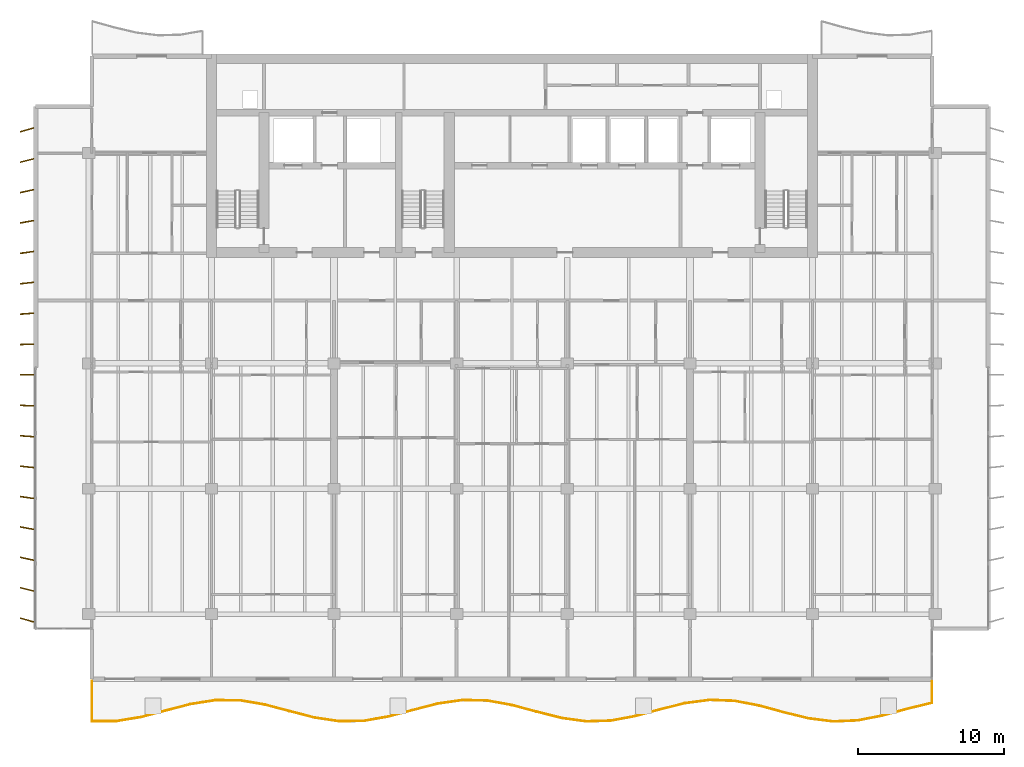
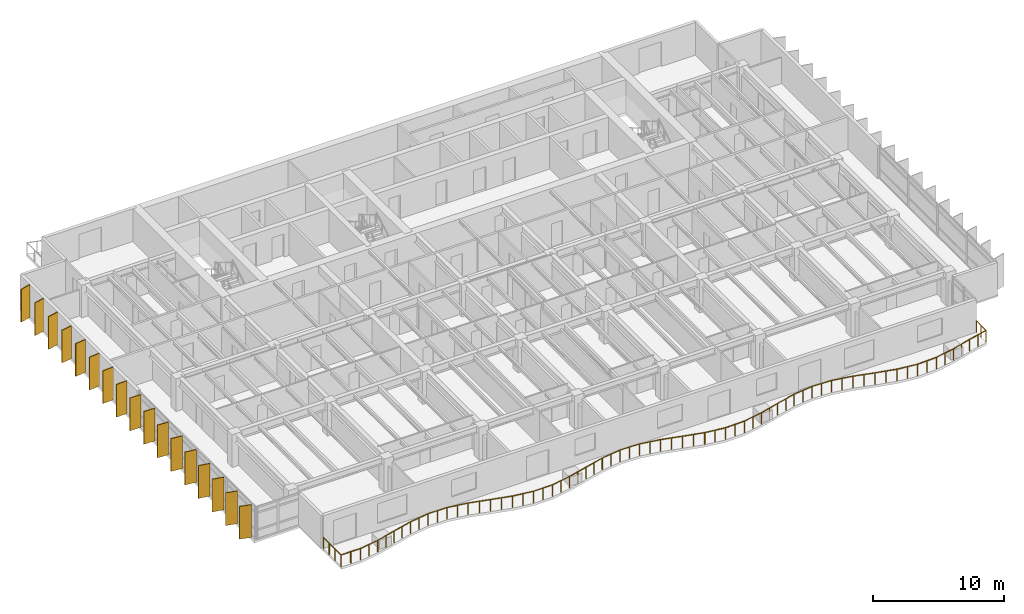
# One storey, part 16 of 19: 17 shading devices, 1 railing.
"""IFC4 building model written with IfcOpenShell, lengths in metres."""

from ifc_helpers import new_model, si_unit, direction, frame, origin, origin_2d, place, context, subcontext, project, spatial, rectangle, circle, extrude, material, material_profile, profile_set, type_object, element, save


model = new_model("IFC4")

# Units and contexts
model_context = context("Model", 3, precision=1e-05, world=origin(), true_north=direction((0.0, 1.0)))
body_context = subcontext(model_context, "Body", "Model", "MODEL_VIEW")
ifc_project = project(units=[si_unit("LENGTHUNIT", "METRE"), si_unit("AREAUNIT", "SQUARE_METRE"), si_unit("VOLUMEUNIT", "CUBIC_METRE"), si_unit("PLANEANGLEUNIT", "RADIAN"), si_unit("MASSUNIT", "GRAM", prefix="KILO")], contexts=[model_context])

# Site, building, storey
site_placement = place(None, origin())
site = spatial("IfcSite", under=ifc_project, at=site_placement, CompositionType="ELEMENT")
building_placement = place(site_placement, origin())
building = spatial("IfcBuilding", under=site, at=building_placement, Name="Caelmar Bay Residences", CompositionType="ELEMENT")
storey_placement = place(building_placement, frame((0.0, 0.0, 163.800048828125)))
storey = spatial("IfcBuildingStorey", under=building, at=storey_placement, Name="L45", CompositionType="ELEMENT", Elevation=163.800048828125)

# Railing
ifc_material_1 = material(Name="Anodised bronze handrail with laminated hurricane glass infill", Category="glass")
railing_type = type_object("IfcRailingType", Name="RL-BAL-1100", PredefinedType="BALUSTRADE", material=ifc_material_1)
railing_placement = place(storey_placement, frame((10.10009765625, 7.60009765625, 0.0)))
element("IfcRailing", 1, at=railing_placement, inside=storey, type_object=railing_type, Name="L45 south Balcony Balustrade", PredefinedType="BALUSTRADE", context=body_context, shape_type="SweptSolid", body=[
    extrude(circle(Radius=0.02392578125, at=origin_2d()), frame((0.0, 0.0, 1.076171875), z_axis=(0.0, -1.0, 0.0), x_axis=(1.0, 0.0, 0.0)), (0.0, 0.0, 1.0), 2.7333984375),
    extrude(circle(Radius=0.02392578125, at=origin_2d()), frame((0.0, -2.7333984375, 1.076171875), z_axis=(0.999999740393, 0.000720564736, 0.0), x_axis=(-0.000720564736, 0.999999740393, 0.0)), (0.0, 0.0, 1.0), 1.694091796875),
    extrude(circle(Radius=0.02392578125, at=origin_2d()), frame((1.694091796875, -2.732177734375, 1.076171875), z_axis=(0.98683994476, 0.161700103357, 0.0), x_axis=(-0.161700103357, 0.98683994476, 0.0)), (0.0, 0.0, 1.0), 1.716796875),
    extrude(circle(Radius=0.02392578125, at=origin_2d()), frame((3.38818359375, -2.45458984375, 1.076171875), z_axis=(0.96700771303, 0.25474709604, 0.0), x_axis=(-0.25474709604, 0.96700771303, 0.0)), (0.0, 0.0, 1.0), 1.751953125),
    extrude(circle(Radius=0.02392578125, at=origin_2d()), frame((5.082275390625, -2.00830078125, 1.076171875), z_axis=(0.967623195546, 0.252399190652, 0.0), x_axis=(-0.252399190652, 0.967623195546, 0.0)), (0.0, 0.0, 1.0), 1.750732421875),
    extrude(circle(Radius=0.02392578125, at=origin_2d()), frame((6.7763671875, -1.56640625, 1.076171875), z_axis=(0.987929781528, 0.154902378196, 0.0), x_axis=(-0.154902378196, 0.987929781528, 0.0)), (0.0, 0.0, 1.0), 1.71484375),
    extrude(circle(Radius=0.02392578125, at=origin_2d()), frame((8.470458984375, -1.30078125, 1.076171875), z_axis=(0.999967436501, -0.008070064338, 0.0), x_axis=(0.008070064338, 0.999967436501, 0.0)), (0.0, 0.0, 1.0), 1.694091796875),
    extrude(circle(Radius=0.02392578125, at=origin_2d()), frame((10.16455078125, -1.314453125, 1.076171875), z_axis=(0.985894085535, -0.167370403914, 0.0), x_axis=(0.167370403914, 0.985894085535, 0.0)), (0.0, 0.0, 1.0), 1.71826171875),
    extrude(circle(Radius=0.02392578125, at=origin_2d()), frame((11.858642578125, -1.60205078125, 1.076171875), z_axis=(0.96652561509, -0.256570137339, 0.0), x_axis=(0.256570137339, 0.96652561509, 0.0)), (0.0, 0.0, 1.0), 1.752685546875),
    extrude(circle(Radius=0.02392578125, at=origin_2d()), frame((13.552734375, -2.0517578125, 1.076171875), z_axis=(0.968242469272, -0.250013041057, 0.0), x_axis=(0.250013041057, 0.968242469272, 0.0)), (0.0, 0.0, 1.0), 1.75),
    extrude(circle(Radius=0.02392578125, at=origin_2d()), frame((15.2470703125, -2.4892578125, 1.076171875), z_axis=(0.988828431207, -0.149058155216, 0.0), x_axis=(0.149058155216, 0.988828431207, 0.0)), (0.0, 0.0, 1.0), 1.713134765625),
    extrude(circle(Radius=0.02392578125, at=origin_2d()), frame((16.941162109375, -2.74462890625, 1.076171875), z_axis=(0.99988334269, 0.015274194311, 0.0), x_axis=(-0.015274194311, 0.99988334269, 0.0)), (0.0, 0.0, 1.0), 1.6943359375),
    extrude(circle(Radius=0.02392578125, at=origin_2d()), frame((18.63525390625, -2.71875, 1.076171875), z_axis=(0.984965924128, 0.172748743286, 0.0), x_axis=(-0.172748743286, 0.984965924128, 0.0)), (0.0, 0.0, 1.0), 1.719970703125),
    extrude(circle(Radius=0.02392578125, at=origin_2d()), frame((20.329345703125, -2.421630859375, 1.076171875), z_axis=(0.966075311356, 0.258260513412, 0.0), x_axis=(-0.258260513412, 0.966075311356, 0.0)), (0.0, 0.0, 1.0), 1.753662109375),
    extrude(circle(Radius=0.02392578125, at=origin_2d()), frame((22.0234375, -1.96875, 1.076171875), z_axis=(0.968839335891, 0.247690010357, 0.0), x_axis=(-0.247690010357, 0.968839335891, 0.0)), (0.0, 0.0, 1.0), 1.74853515625),
    extrude(circle(Radius=0.02392578125, at=origin_2d()), frame((23.717529296875, -1.53564453125, 1.076171875), z_axis=(0.989714225211, 0.143058562889, 0.0), x_axis=(-0.143058562889, 0.989714225211, 0.0)), (0.0, 0.0, 1.0), 1.711669921875),
    extrude(circle(Radius=0.02392578125, at=origin_2d()), frame((25.41162109375, -1.290771484375, 1.076171875), z_axis=(0.99974738401, -0.022475946376, 0.0), x_axis=(0.022475946376, 0.99974738401, 0.0)), (0.0, 0.0, 1.0), 1.694580078125),
    extrude(circle(Radius=0.02392578125, at=origin_2d()), frame((27.105712890625, -1.328857421875, 1.076171875), z_axis=(0.98401028007, -0.178111674848, 0.0), x_axis=(0.178111674848, 0.98401028007, 0.0)), (0.0, 0.0, 1.0), 1.7216796875),
    extrude(circle(Radius=0.02392578125, at=origin_2d()), frame((28.7998046875, -1.635498046875, 1.076171875), z_axis=(0.965657399283, -0.259818758389, 0.0), x_axis=(0.259818758389, 0.965657399283, 0.0)), (0.0, 0.0, 1.0), 1.75439453125),
    extrude(circle(Radius=0.02392578125, at=origin_2d()), frame((30.493896484375, -2.09130859375, 1.076171875), z_axis=(0.969506355207, -0.245066169049, 0.0), x_axis=(0.245066169049, 0.969506355207, 0.0)), (0.0, 0.0, 1.0), 1.747314453125),
    extrude(circle(Radius=0.02392578125, at=origin_2d()), frame((32.18798828125, -2.51953125, 1.076171875), z_axis=(0.990567757977, -0.137023782083, 0.0), x_axis=(0.137023782083, 0.990567757977, 0.0)), (0.0, 0.0, 1.0), 1.71044921875),
    extrude(circle(Radius=0.02392578125, at=origin_2d()), frame((33.88232421875, -2.75390625, 1.076171875), z_axis=(0.999555340909, 0.02981812301, 0.0), x_axis=(-0.02981812301, 0.999555340909, 0.0)), (0.0, 0.0, 1.0), 1.69482421875),
    extrude(circle(Radius=0.02392578125, at=origin_2d()), frame((35.576416015625, -2.703369140625, 1.076171875), z_axis=(0.983078465562, 0.183184962671, 0.0), x_axis=(-0.183184962671, 0.983078465562, 0.0)), (0.0, 0.0, 1.0), 1.72314453125),
    extrude(circle(Radius=0.02392578125, at=origin_2d()), frame((37.2705078125, -2.3876953125, 1.076171875), z_axis=(0.965272426357, 0.261245369174, 0.0), x_axis=(-0.261245369174, 0.965272426357, 0.0)), (0.0, 0.0, 1.0), 1.755126953125),
    extrude(circle(Radius=0.02392578125, at=origin_2d()), frame((38.964599609375, -1.92919921875, 1.076171875), z_axis=(0.970200045105, 0.242305329034, 0.0), x_axis=(-0.242305329034, 0.970200045105, 0.0)), (0.0, 0.0, 1.0), 1.74609375),
    extrude(circle(Radius=0.02392578125, at=origin_2d()), frame((40.65869140625, -1.506103515625, 1.076171875), z_axis=(0.991399256235, 0.130872131245, 0.0), x_axis=(-0.130872131245, 0.991399256235, 0.0)), (0.0, 0.0, 1.0), 1.708740234375),
    extrude(circle(Radius=0.02392578125, at=origin_2d()), frame((42.352783203125, -1.282470703125, 1.076171875), z_axis=(0.999315031004, -0.037006334722, 0.0), x_axis=(0.037006334722, 0.999315031004, 0.0)), (0.0, 0.0, 1.0), 1.695556640625),
    extrude(circle(Radius=0.02392578125, at=origin_2d()), frame((44.047119140625, -1.34521484375, 1.076171875), z_axis=(0.982122357756, -0.188243656985, 0.0), x_axis=(0.188243656985, 0.982122357756, 0.0)), (0.0, 0.0, 1.0), 1.724853515625),
    extrude(circle(Radius=0.02392578125, at=origin_2d()), frame((45.7412109375, -1.669921875, 1.076171875), z_axis=(0.964956111271, -0.262411324682, 0.0), x_axis=(0.262411324682, 0.964956111271, 0.0)), (0.0, 0.0, 1.0), 1.755615234375),
    extrude(circle(Radius=0.02392578125, at=origin_2d()), frame((47.435302734375, -2.130615234375, 1.076171875), z_axis=(0.970919375996, -0.239406694384, 0.0), x_axis=(0.239406694384, 0.970919375996, 0.0)), (0.0, 0.0, 1.0), 1.744873046875),
    extrude(circle(Radius=0.02392578125, at=origin_2d()), frame((49.12939453125, -2.54833984375, 1.076171875), z_axis=(0.992213949517, -0.124545085751, 0.0), x_axis=(0.124545085751, 0.992213949517, 0.0)), (0.0, 0.0, 1.0), 1.707275390625),
    extrude(circle(Radius=0.02392578125, at=origin_2d()), frame((50.823486328125, -2.760986328125, 1.076171875), z_axis=(0.999022726819, 0.044199449075, 0.0), x_axis=(-0.044199449075, 0.999022726819, 0.0)), (0.0, 0.0, 1.0), 1.69580078125),
    extrude(circle(Radius=0.02392578125, at=origin_2d()), frame((52.517578125, -2.68603515625, 1.076171875), z_axis=(0.981168985124, 0.193151294665, 0.0), x_axis=(-0.193151294665, 0.981168985124, 0.0)), (0.0, 0.0, 1.0), 1.7265625),
    extrude(circle(Radius=0.02392578125, at=origin_2d()), frame((54.211669921875, -2.3525390625, 1.076171875), z_axis=(0.964709259098, 0.263317385319, 0.0), x_axis=(-0.263317385319, 0.964709259098, 0.0)), (0.0, 0.0, 1.0), 1.756103515625),
    extrude(circle(Radius=0.02392578125, at=origin_2d()), frame((55.90576171875, -1.89013671875, 1.076171875), z_axis=(0.971663257261, 0.236369444914, 0.0), x_axis=(-0.236369444914, 0.971663257261, 0.0)), (0.0, 0.0, 1.0), 1.743408203125),
    extrude(circle(Radius=0.02392578125, at=origin_2d()), frame((57.599853515625, -1.47802734375, 1.076171875), z_axis=(0.0, 1.0, 0.0), x_axis=(-1.0, 0.0, 0.0)), (0.0, 0.0, 1.0), 1.47802734375),
    extrude(circle(Radius=0.02099609375, at=origin_2d()), origin(), (0.0, 0.0, 1.0), 1.052001953125),
    extrude(circle(Radius=0.02099609375, at=origin_2d()), frame((0.0, -0.9111328125, 0.0)), (0.0, 0.0, 1.0), 1.052001953125),
    extrude(circle(Radius=0.02099609375, at=origin_2d()), frame((0.0, -1.822265625, 0.0)), (0.0, 0.0, 1.0), 1.052001953125),
    extrude(circle(Radius=0.02099609375, at=origin_2d()), frame((0.0, -2.7333984375, 0.0)), (0.0, 0.0, 1.0), 1.052001953125),
    extrude(circle(Radius=0.02099609375, at=origin_2d()), frame((0.84716796875, -2.73291015625, 0.0)), (0.0, 0.0, 1.0), 1.052001953125),
    extrude(circle(Radius=0.02099609375, at=origin_2d()), frame((1.694091796875, -2.732177734375, 0.0)), (0.0, 0.0, 1.0), 1.052001953125),
    extrude(circle(Radius=0.02099609375, at=origin_2d()), frame((2.541015625, -2.59326171875, 0.0)), (0.0, 0.0, 1.0), 1.052001953125),
    extrude(circle(Radius=0.02099609375, at=origin_2d()), frame((3.38818359375, -2.45458984375, 0.0)), (0.0, 0.0, 1.0), 1.052001953125),
    extrude(circle(Radius=0.02099609375, at=origin_2d()), frame((4.2353515625, -2.2314453125, 0.0)), (0.0, 0.0, 1.0), 1.052001953125),
    extrude(circle(Radius=0.02099609375, at=origin_2d()), frame((5.082275390625, -2.00830078125, 0.0)), (0.0, 0.0, 1.0), 1.052001953125),
    extrude(circle(Radius=0.02099609375, at=origin_2d()), frame((5.92919921875, -1.787353515625, 0.0)), (0.0, 0.0, 1.0), 1.052001953125),
    extrude(circle(Radius=0.02099609375, at=origin_2d()), frame((6.7763671875, -1.56640625, 0.0)), (0.0, 0.0, 1.0), 1.052001953125),
    extrude(circle(Radius=0.02099609375, at=origin_2d()), frame((7.62353515625, -1.43359375, 0.0)), (0.0, 0.0, 1.0), 1.052001953125),
    extrude(circle(Radius=0.02099609375, at=origin_2d()), frame((8.470458984375, -1.30078125, 0.0)), (0.0, 0.0, 1.0), 1.052001953125),
    extrude(circle(Radius=0.02099609375, at=origin_2d()), frame((9.3173828125, -1.3076171875, 0.0)), (0.0, 0.0, 1.0), 1.052001953125),
    extrude(circle(Radius=0.02099609375, at=origin_2d()), frame((10.16455078125, -1.314453125, 0.0)), (0.0, 0.0, 1.0), 1.052001953125),
    extrude(circle(Radius=0.02099609375, at=origin_2d()), frame((11.01171875, -1.458251953125, 0.0)), (0.0, 0.0, 1.0), 1.052001953125),
    extrude(circle(Radius=0.02099609375, at=origin_2d()), frame((11.858642578125, -1.60205078125, 0.0)), (0.0, 0.0, 1.0), 1.052001953125),
    extrude(circle(Radius=0.02099609375, at=origin_2d()), frame((12.70556640625, -1.826904296875, 0.0)), (0.0, 0.0, 1.0), 1.052001953125),
    extrude(circle(Radius=0.02099609375, at=origin_2d()), frame((13.552734375, -2.0517578125, 0.0)), (0.0, 0.0, 1.0), 1.052001953125),
    extrude(circle(Radius=0.02099609375, at=origin_2d()), frame((14.39990234375, -2.2705078125, 0.0)), (0.0, 0.0, 1.0), 1.052001953125),
    extrude(circle(Radius=0.02099609375, at=origin_2d()), frame((15.2470703125, -2.4892578125, 0.0)), (0.0, 0.0, 1.0), 1.052001953125),
    extrude(circle(Radius=0.02099609375, at=origin_2d()), frame((16.09423828125, -2.616943359375, 0.0)), (0.0, 0.0, 1.0), 1.052001953125),
    extrude(circle(Radius=0.02099609375, at=origin_2d()), frame((16.941162109375, -2.74462890625, 0.0)), (0.0, 0.0, 1.0), 1.052001953125),
    extrude(circle(Radius=0.02099609375, at=origin_2d()), frame((17.7880859375, -2.731689453125, 0.0)), (0.0, 0.0, 1.0), 1.052001953125),
    extrude(circle(Radius=0.02099609375, at=origin_2d()), frame((18.63525390625, -2.71875, 0.0)), (0.0, 0.0, 1.0), 1.052001953125),
    extrude(circle(Radius=0.02099609375, at=origin_2d()), frame((19.482421875, -2.5703125, 0.0)), (0.0, 0.0, 1.0), 1.052001953125),
    extrude(circle(Radius=0.02099609375, at=origin_2d()), frame((20.329345703125, -2.421630859375, 0.0)), (0.0, 0.0, 1.0), 1.052001953125),
    extrude(circle(Radius=0.02099609375, at=origin_2d()), frame((21.17626953125, -2.1953125, 0.0)), (0.0, 0.0, 1.0), 1.052001953125),
    extrude(circle(Radius=0.02099609375, at=origin_2d()), frame((22.0234375, -1.96875, 0.0)), (0.0, 0.0, 1.0), 1.052001953125),
    extrude(circle(Radius=0.02099609375, at=origin_2d()), frame((22.87060546875, -1.752197265625, 0.0)), (0.0, 0.0, 1.0), 1.052001953125),
    extrude(circle(Radius=0.02099609375, at=origin_2d()), frame((23.717529296875, -1.53564453125, 0.0)), (0.0, 0.0, 1.0), 1.052001953125),
    extrude(circle(Radius=0.02099609375, at=origin_2d()), frame((24.564453125, -1.4130859375, 0.0)), (0.0, 0.0, 1.0), 1.052001953125),
    extrude(circle(Radius=0.02099609375, at=origin_2d()), frame((25.41162109375, -1.290771484375, 0.0)), (0.0, 0.0, 1.0), 1.052001953125),
    extrude(circle(Radius=0.02099609375, at=origin_2d()), frame((26.2587890625, -1.309814453125, 0.0)), (0.0, 0.0, 1.0), 1.052001953125),
    extrude(circle(Radius=0.02099609375, at=origin_2d()), frame((27.105712890625, -1.328857421875, 0.0)), (0.0, 0.0, 1.0), 1.052001953125),
    extrude(circle(Radius=0.02099609375, at=origin_2d()), frame((27.95263671875, -1.482177734375, 0.0)), (0.0, 0.0, 1.0), 1.052001953125),
    extrude(circle(Radius=0.02099609375, at=origin_2d()), frame((28.7998046875, -1.635498046875, 0.0)), (0.0, 0.0, 1.0), 1.052001953125),
    extrude(circle(Radius=0.02099609375, at=origin_2d()), frame((29.64697265625, -1.86328125, 0.0)), (0.0, 0.0, 1.0), 1.052001953125),
    extrude(circle(Radius=0.02099609375, at=origin_2d()), frame((30.493896484375, -2.09130859375, 0.0)), (0.0, 0.0, 1.0), 1.052001953125),
    extrude(circle(Radius=0.02099609375, at=origin_2d()), frame((31.3408203125, -2.305419921875, 0.0)), (0.0, 0.0, 1.0), 1.052001953125),
    extrude(circle(Radius=0.02099609375, at=origin_2d()), frame((32.18798828125, -2.51953125, 0.0)), (0.0, 0.0, 1.0), 1.052001953125),
    extrude(circle(Radius=0.02099609375, at=origin_2d()), frame((33.03515625, -2.63671875, 0.0)), (0.0, 0.0, 1.0), 1.052001953125),
    extrude(circle(Radius=0.02099609375, at=origin_2d()), frame((33.88232421875, -2.75390625, 0.0)), (0.0, 0.0, 1.0), 1.052001953125),
    extrude(circle(Radius=0.02099609375, at=origin_2d()), frame((34.7294921875, -2.728515625, 0.0)), (0.0, 0.0, 1.0), 1.052001953125),
    extrude(circle(Radius=0.02099609375, at=origin_2d()), frame((35.576416015625, -2.703369140625, 0.0)), (0.0, 0.0, 1.0), 1.052001953125),
    extrude(circle(Radius=0.02099609375, at=origin_2d()), frame((36.42333984375, -2.54541015625, 0.0)), (0.0, 0.0, 1.0), 1.052001953125),
    extrude(circle(Radius=0.02099609375, at=origin_2d()), frame((37.2705078125, -2.3876953125, 0.0)), (0.0, 0.0, 1.0), 1.052001953125),
    extrude(circle(Radius=0.02099609375, at=origin_2d()), frame((38.11767578125, -2.158447265625, 0.0)), (0.0, 0.0, 1.0), 1.052001953125),
    extrude(circle(Radius=0.02099609375, at=origin_2d()), frame((38.964599609375, -1.92919921875, 0.0)), (0.0, 0.0, 1.0), 1.052001953125),
    extrude(circle(Radius=0.02099609375, at=origin_2d()), frame((39.8115234375, -1.7177734375, 0.0)), (0.0, 0.0, 1.0), 1.052001953125),
    extrude(circle(Radius=0.02099609375, at=origin_2d()), frame((40.65869140625, -1.506103515625, 0.0)), (0.0, 0.0, 1.0), 1.052001953125),
    extrude(circle(Radius=0.02099609375, at=origin_2d()), frame((41.505859375, -1.394287109375, 0.0)), (0.0, 0.0, 1.0), 1.052001953125),
    extrude(circle(Radius=0.02099609375, at=origin_2d()), frame((42.352783203125, -1.282470703125, 0.0)), (0.0, 0.0, 1.0), 1.052001953125),
    extrude(circle(Radius=0.02099609375, at=origin_2d()), frame((43.199951171875, -1.31396484375, 0.0)), (0.0, 0.0, 1.0), 1.052001953125),
    extrude(circle(Radius=0.02099609375, at=origin_2d()), frame((44.047119140625, -1.34521484375, 0.0)), (0.0, 0.0, 1.0), 1.052001953125),
    extrude(circle(Radius=0.02099609375, at=origin_2d()), frame((44.89404296875, -1.507568359375, 0.0)), (0.0, 0.0, 1.0), 1.052001953125),
    extrude(circle(Radius=0.02099609375, at=origin_2d()), frame((45.7412109375, -1.669921875, 0.0)), (0.0, 0.0, 1.0), 1.052001953125),
    extrude(circle(Radius=0.02099609375, at=origin_2d()), frame((46.58837890625, -1.900390625, 0.0)), (0.0, 0.0, 1.0), 1.052001953125),
    extrude(circle(Radius=0.02099609375, at=origin_2d()), frame((47.435302734375, -2.130615234375, 0.0)), (0.0, 0.0, 1.0), 1.052001953125),
    extrude(circle(Radius=0.02099609375, at=origin_2d()), frame((48.2822265625, -2.33935546875, 0.0)), (0.0, 0.0, 1.0), 1.052001953125),
    extrude(circle(Radius=0.02099609375, at=origin_2d()), frame((49.12939453125, -2.54833984375, 0.0)), (0.0, 0.0, 1.0), 1.052001953125),
    extrude(circle(Radius=0.02099609375, at=origin_2d()), frame((49.9765625, -2.65478515625, 0.0)), (0.0, 0.0, 1.0), 1.052001953125),
    extrude(circle(Radius=0.02099609375, at=origin_2d()), frame((50.823486328125, -2.760986328125, 0.0)), (0.0, 0.0, 1.0), 1.052001953125),
    extrude(circle(Radius=0.02099609375, at=origin_2d()), frame((51.67041015625, -2.7236328125, 0.0)), (0.0, 0.0, 1.0), 1.052001953125),
    extrude(circle(Radius=0.02099609375, at=origin_2d()), frame((52.517578125, -2.68603515625, 0.0)), (0.0, 0.0, 1.0), 1.052001953125),
    extrude(circle(Radius=0.02099609375, at=origin_2d()), frame((53.36474609375, -2.519287109375, 0.0)), (0.0, 0.0, 1.0), 1.052001953125),
    extrude(circle(Radius=0.02099609375, at=origin_2d()), frame((54.211669921875, -2.3525390625, 0.0)), (0.0, 0.0, 1.0), 1.052001953125),
    extrude(circle(Radius=0.02099609375, at=origin_2d()), frame((55.05859375, -2.121337890625, 0.0)), (0.0, 0.0, 1.0), 1.052001953125),
    extrude(circle(Radius=0.02099609375, at=origin_2d()), frame((55.90576171875, -1.89013671875, 0.0)), (0.0, 0.0, 1.0), 1.052001953125),
    extrude(circle(Radius=0.02099609375, at=origin_2d()), frame((56.7529296875, -1.68408203125, 0.0)), (0.0, 0.0, 1.0), 1.052001953125),
    extrude(circle(Radius=0.02099609375, at=origin_2d()), frame((57.599853515625, -1.47802734375, 0.0)), (0.0, 0.0, 1.0), 1.052001953125),
    extrude(circle(Radius=0.02099609375, at=origin_2d()), frame((57.599853515625, -0.739013671875, 0.0)), (0.0, 0.0, 1.0), 1.052001953125),
    extrude(circle(Radius=0.02099609375, at=origin_2d()), frame((57.599853515625, 0.0, 0.0)), (0.0, 0.0, 1.0), 1.052001953125),
])

# Shading devices
ifc_material_2 = material(Name="Anodised architectural bronze aluminium 6063-T6", Category="aluminium")
ifc_material_profile = material_profile(ifc_material_2, rectangle(XDim=0.074951171875, YDim=0.949951171875, at=origin_2d()), Name="BRONZE-FIN-75X950")
ifc_profile_set = profile_set([ifc_material_profile], Name="Anodised architectural bronze aluminium 6063-T6")
shading_device_type = type_object("IfcShadingDeviceType", Name="SHD-FIN-950", PredefinedType="USERDEFINED", material=ifc_profile_set)
for number, where, z_axis, x_axis, name in (
    (2, (5.64990234375, 11.800048828125, 0.0), (0.0, 0.0, 1.0), (0.275637355817, 0.961261695938, 0.0), "L45 West Bronze Solar Fin 1"),
    (3, (5.64990234375, 13.89990234375, 0.0), (0.0, 0.0, 1.0), (0.2419218956, 0.970295726276, 0.0), "L45 West Bronze Solar Fin 2"),
    (4, (5.64990234375, 16.0, 0.0), (0.0, 0.0, 1.0), (0.207911690818, 0.978147600734, 0.0), "L45 West Bronze Solar Fin 3"),
    (5, (5.64990234375, 18.10009765625, 0.0), (0.0, 0.0, 1.0), (0.173648177667, 0.984807753012, 0.0), "L45 West Bronze Solar Fin 4"),
    (6, (5.64990234375, 20.199951171875, 0.0), (0.0, 0.0, 1.0), (0.13917310096, 0.990268068742, 0.0), "L45 West Bronze Solar Fin 5"),
    (7, (5.64990234375, 22.300048828125, 0.0), (0.0, 0.0, 1.0), (0.104528463268, 0.994521895368, 0.0), "L45 West Bronze Solar Fin 6"),
    (8, (5.64990234375, 24.39990234375, 0.0), (0.0, 0.0, 1.0), (0.069756473744, 0.99756405026, 0.0), "L45 West Bronze Solar Fin 7"),
    (9, (5.64990234375, 26.5, 0.0), (0.0, 0.0, 1.0), (0.034899496703, 0.999390827019, 0.0), "L45 West Bronze Solar Fin 8"),
    (10, (5.64990234375, 28.60009765625, 0.0), (0.0, 0.0, 1.0), (0.0, 1.0, 0.0), "L45 West Bronze Solar Fin 9"),
    (11, (5.64990234375, 30.699951171875, 0.0), (0.0, 0.0, 1.0), (-0.034899496703, 0.999390827019, 0.0), "L45 West Bronze Solar Fin 10"),
    (12, (5.64990234375, 32.800048828125, 0.0), (0.0, 0.0, 1.0), (-0.069756473744, 0.99756405026, 0.0), "L45 West Bronze Solar Fin 11"),
    (13, (5.64990234375, 34.89990234375, 0.0), (0.0, 0.0, 1.0), (-0.104528463268, 0.994521895368, 0.0), "L45 West Bronze Solar Fin 12"),
    (14, (5.64990234375, 37.0, 0.0), (0.0, 0.0, 1.0), (-0.13917310096, 0.990268068742, 0.0), "L45 West Bronze Solar Fin 13"),
    (15, (5.64990234375, 39.10009765625, 0.0), (0.0, 0.0, 1.0), (-0.173648177667, 0.984807753012, 0.0), "L45 West Bronze Solar Fin 14"),
    (16, (5.64990234375, 41.199951171875, 0.0), (0.0, 0.0, 1.0), (-0.207911690818, 0.978147600734, 0.0), "L45 West Bronze Solar Fin 15"),
    (17, (5.64990234375, 43.300048828125, 0.0), (0.0, 0.0, 1.0), (-0.2419218956, 0.970295726276, 0.0), "L45 West Bronze Solar Fin 16"),
    (18, (5.64990234375, 45.39990234375, 0.0), (0.0, 0.0, 1.0), (-0.275637355817, 0.961261695938, 0.0), "L45 West Bronze Solar Fin 17"),
):
    element("IfcShadingDevice", number, at=place(storey_placement, frame(where, z_axis=z_axis, x_axis=x_axis)), inside=storey, type_object=shading_device_type, Name=name, ObjectType="FIN", PredefinedType="USERDEFINED", context=body_context, shape_type="SweptSolid", body=[
        extrude(rectangle(XDim=0.074951171875, YDim=0.949951171875, at=origin_2d()), origin(), (0.0, 0.0, 1.0), 3.050048828125),
    ])

save(model, "model.ifc")
